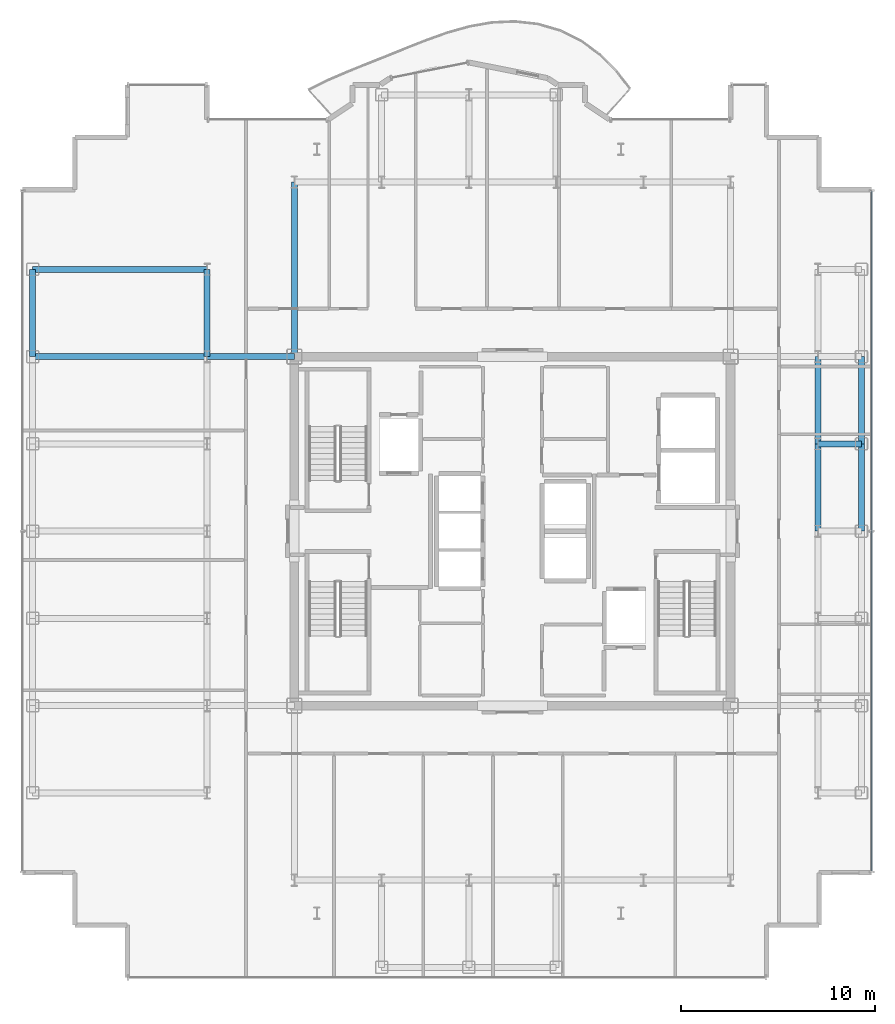
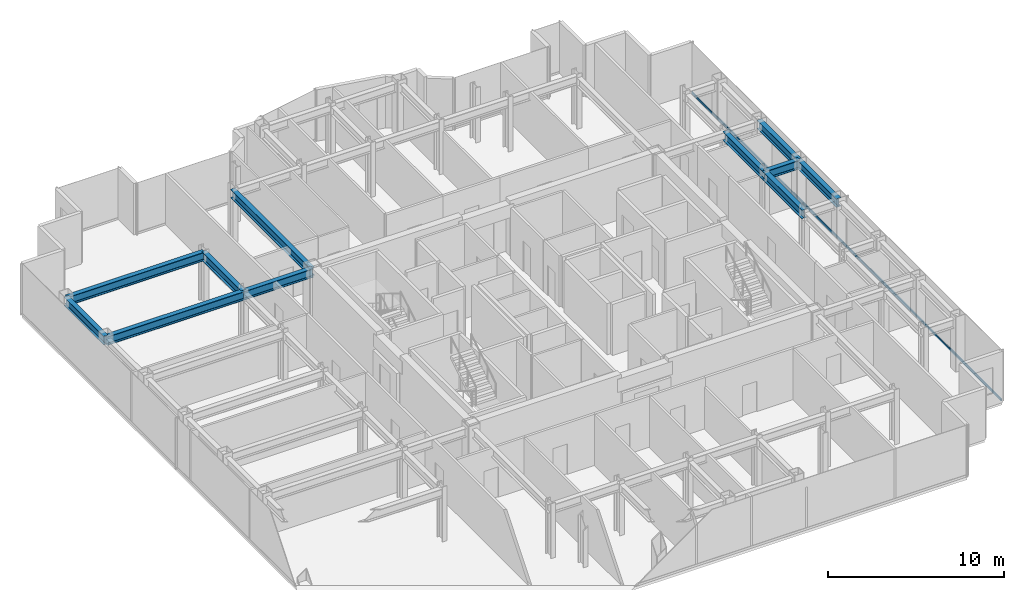
# One storey, part 8 of 18: 11 beams, 1 member, 1 element without a shape of its own.
"""IFC4 building model written with IfcOpenShell, lengths in metres."""

import ifcopenshell
import ifcopenshell.guid

model = None  # the IFC model being written
_history = None  # IfcOwnerHistory: only IFC2X3 demands one
_inside = {}  # id of a spatial element -> (the spatial element, [elements in it])
_under = {}  # id of a project, library or spatial element -> (it, [spatial elements below it])
_declared = {}  # id of a project -> (the project, [libraries it declares])
_typed = {}  # id of a type object -> (the type object, [elements of that type])
_made_of = {}  # id of a material, layer set ... -> (it, [elements and type objects made of it])


def new_model(schema):
    """Start an empty IFC model of exactly this schema.

    Asked for "IFC4X3", IfcOpenShell would pick the latest addendum, in which some entities
    have other attributes; the version numbers below select the first issue.
    IFC2X3 requires an IfcOwnerHistory on every rooted entity: one is made here for all.
    """
    global model, _history
    if schema == "IFC4X3":
        model = ifcopenshell.file(schema_version=(4, 3, 0, 0))
    else:
        model = ifcopenshell.file(schema=schema)
    _inside.clear()
    _under.clear()
    _declared.clear()
    _typed.clear()
    _made_of.clear()
    _history = None
    if model.schema == "IFC2X3":
        org = make("IfcOrganization", Name="unknown")
        user = make(
            "IfcPersonAndOrganization",
            ThePerson=make("IfcPerson", FamilyName="unknown"),
            TheOrganization=org,
        )
        app = make(
            "IfcApplication",
            ApplicationDeveloper=org,
            Version="unknown",
            ApplicationFullName="unknown",
            ApplicationIdentifier="unknown",
        )
        _history = make(
            "IfcOwnerHistory",
            OwningUser=user,
            OwningApplication=app,
            ChangeAction="ADDED",
            CreationDate=0,
        )
    return model


def make(cls, **values):
    """One entity of the class cls with the attributes given. An attribute that is None is left unset."""
    return model.create_entity(
        cls, **{name: value for name, value in values.items() if value is not None}
    )


def rooted(cls, **values):
    """An entity with a GlobalId (a new one), such as an element, a storey or a relation."""
    return make(cls, GlobalId=ifcopenshell.guid.new(), OwnerHistory=_history, **values)


def si_unit(unit_type, name, prefix=None):
    """IfcSIUnit, for example si_unit("LENGTHUNIT", "METRE", prefix="MILLI")."""
    return make("IfcSIUnit", UnitType=unit_type, Prefix=prefix, Name=name)


def assignment(units):
    """IfcUnitAssignment: the units of a project."""
    return None if units is None else make("IfcUnitAssignment", Units=units)


def point(xyz):
    """IfcCartesianPoint."""
    return None if xyz is None else make("IfcCartesianPoint", Coordinates=xyz)


def direction(xyz):
    """IfcDirection."""
    return None if xyz is None else make("IfcDirection", DirectionRatios=xyz)


def frame(location, z_axis=None, x_axis=None):
    """IfcAxis2Placement3D, a coordinate frame: its origin and axes. An axis left out is left unset."""
    return make(
        "IfcAxis2Placement3D",
        Location=point(location),
        Axis=direction(z_axis),
        RefDirection=direction(x_axis),
    )


def frame_2d(location, x_axis=None):
    """IfcAxis2Placement2D, a coordinate frame in the plane: its origin and x axis."""
    return make(
        "IfcAxis2Placement2D", Location=point(location), RefDirection=direction(x_axis)
    )


def origin():
    """The frame at (0, 0, 0) with its axes left unset."""
    return frame((0.0, 0.0, 0.0))


def origin_2d():
    """The frame at (0, 0) in the plane with its x axis left unset."""
    return frame_2d((0.0, 0.0))


def place(relative_to, where):
    """IfcLocalPlacement: puts the frame where relative to a parent placement (None: the world)."""
    return make(
        "IfcLocalPlacement", PlacementRelTo=relative_to, RelativePlacement=where
    )


def context(
    kind, dimensions, precision=None, world=None, true_north=None, identifier=None
):
    """IfcGeometricRepresentationContext, for example the 3D "Model" context."""
    return make(
        "IfcGeometricRepresentationContext",
        ContextIdentifier=identifier,
        ContextType=kind,
        CoordinateSpaceDimension=dimensions,
        Precision=precision,
        WorldCoordinateSystem=world,
        TrueNorth=true_north,
    )


def subcontext(parent, identifier, kind, view, scale=None):
    """IfcGeometricRepresentationSubContext, for example "Body" below "Model"."""
    return make(
        "IfcGeometricRepresentationSubContext",
        ContextIdentifier=identifier,
        ContextType=kind,
        ParentContext=parent,
        TargetScale=scale,
        TargetView=view,
    )


def project(units=None, contexts=None):
    """IfcProject with its units and contexts."""
    return rooted(
        "IfcProject",
        Name="project",
        RepresentationContexts=contexts,
        UnitsInContext=assignment(units),
    )


def spatial(cls, under=None, at=None, **own):
    """A site, building, storey or space (cls), placed at a placement, below another one or the project."""
    s = rooted(cls, ObjectPlacement=at, **own)
    if under is not None:
        _under.setdefault(under.id(), (under, []))[1].append(s)
    return s


def profile(cls, at=None, kind="AREA", **sizes):
    """A parametric profile (cls). Its sizes go by their IFC names, for example OverallWidth=200.0."""
    return make(cls, ProfileType=kind, Position=at, **sizes)


def hollow_rectangle(**sizes):
    """IfcRectangleHollowProfileDef."""
    return profile("IfcRectangleHollowProfileDef", **sizes)


def i_section(**sizes):
    """IfcIShapeProfileDef."""
    return profile("IfcIShapeProfileDef", **sizes)


def extrude(swept, where, along, depth):
    """IfcExtrudedAreaSolid: the profile swept, set in the frame where, extruded along a direction by depth."""
    return make(
        "IfcExtrudedAreaSolid",
        SweptArea=swept,
        Position=where,
        ExtrudedDirection=direction(along),
        Depth=depth,
    )


def shape(context_of_items, identifier, shape_type, items):
    """IfcShapeRepresentation: the items that make up one representation, for example the "Body"."""
    return make(
        "IfcShapeRepresentation",
        ContextOfItems=context_of_items,
        RepresentationIdentifier=identifier,
        RepresentationType=shape_type,
        Items=items,
    )


def source(mapping_origin, context_of_items, identifier, shape_type, items):
    """IfcRepresentationMap: a shape defined once, which mapped items show again and again."""
    return make(
        "IfcRepresentationMap",
        MappingOrigin=mapping_origin,
        MappedRepresentation=shape(context_of_items, identifier, shape_type, items),
    )


def transform(
    local_origin,
    x_axis=None,
    y_axis=None,
    z_axis=None,
    scale=None,
    scale2=None,
    scale3=None,
    uniform=True,
):
    """IfcCartesianTransformationOperator3D, or its non-uniform kind. x_axis, y_axis, z_axis: its Axis1, 2, 3."""
    if uniform:
        return make(
            "IfcCartesianTransformationOperator3D",
            Axis1=direction(x_axis),
            Axis2=direction(y_axis),
            LocalOrigin=point(local_origin),
            Scale=scale,
            Axis3=direction(z_axis),
        )
    return make(
        "IfcCartesianTransformationOperator3DnonUniform",
        Axis1=direction(x_axis),
        Axis2=direction(y_axis),
        LocalOrigin=point(local_origin),
        Scale=scale,
        Axis3=direction(z_axis),
        Scale2=scale2,
        Scale3=scale3,
    )


def mapped(mapping_source, mapping_target):
    """IfcMappedItem: shows the shape of a source again, moved by a transform."""
    return make(
        "IfcMappedItem", MappingSource=mapping_source, MappingTarget=mapping_target
    )


def material(Name=None, Category=None):
    """IfcMaterial."""
    return make("IfcMaterial", Name=Name, Category=Category)


def layer(
    of_material, thickness, ventilated=None, Name=None, Category=None, Priority=None
):
    """IfcMaterialLayer: one layer of a wall or slab, of a material (None: an air gap)."""
    return make(
        "IfcMaterialLayer",
        Material=of_material,
        LayerThickness=thickness,
        IsVentilated=ventilated,
        Name=Name,
        Category=Category,
        Priority=Priority,
    )


def layer_set(layers, Name=None):
    """IfcMaterialLayerSet."""
    return make("IfcMaterialLayerSet", MaterialLayers=layers, LayerSetName=Name)


def material_profile(
    of_material, cross_section, Name=None, Category=None, Priority=None
):
    """IfcMaterialProfile: a cross section and its material."""
    return make(
        "IfcMaterialProfile",
        Name=Name,
        Material=of_material,
        Profile=cross_section,
        Priority=Priority,
        Category=Category,
    )


def profile_set(profiles, Name=None, composite=None):
    """IfcMaterialProfileSet."""
    return make(
        "IfcMaterialProfileSet",
        Name=Name,
        MaterialProfiles=profiles,
        CompositeProfile=composite,
    )


def made_of(thing, what):
    """Note that an element or type object is made of a material, layer set ...; save() writes the relation."""
    if what is not None:
        _made_of.setdefault(what.id(), (what, []))[1].append(thing)
    return thing


def type_object(cls, material=None, **own):
    """A type object (cls), such as IfcWallType, which elements share."""
    return made_of(rooted(cls, **own), material)


def element(
    cls,
    number,
    at=None,
    inside=None,
    cuts=None,
    type_object=None,
    material=None,
    context=None,
    identifier="Body",
    shape_type=None,
    held_by="IfcProductDefinitionShape",
    body=None,
    shapes=None,
    **own,
):
    """One element of the class cls, such as IfcWall. Its Tag is "e" and its number.

    at: its placement. inside: the storey or other place that contains it. cuts: it is an
    opening in that element (IfcRelVoidsElement). A single representation is given by context,
    identifier, shape_type and body (its items); several are given by shapes. held_by: the class
    of the entity that holds the representations. save() writes the other relations.
    """
    e = rooted(cls, Tag="e%d" % number, ObjectPlacement=at, **own)
    if body is not None:
        shapes = [shape(context, identifier, shape_type, body)]
    if shapes is not None:
        e.Representation = make(held_by, Representations=shapes)
    if inside is not None:
        _inside.setdefault(inside.id(), (inside, []))[1].append(e)
    if cuts is not None:
        rooted(
            "IfcRelVoidsElement", RelatingBuildingElement=cuts, RelatedOpeningElement=e
        )
    if type_object is not None:
        _typed.setdefault(type_object.id(), (type_object, []))[1].append(e)
    return made_of(e, material)


def aggregate(whole, parts):
    """IfcRelAggregates: a whole, such as a stair, and the parts it consists of."""
    return rooted("IfcRelAggregates", RelatingObject=whole, RelatedObjects=parts)


def save(model, path):
    """Write the relations noted so far, then the file.

    IfcRelAggregates (storeys below a building ...), IfcRelContainedInSpatialStructure (elements
    in a storey), IfcRelDefinesByType, IfcRelAssociatesMaterial and IfcRelDeclares: one each for
    every whole, place, type object, material and project.
    """
    for whole, parts in _under.values():
        aggregate(whole, parts)
    for where, things in _inside.values():
        rooted(
            "IfcRelContainedInSpatialStructure",
            RelatedElements=things,
            RelatingStructure=where,
        )
    for kind, things in _typed.values():
        rooted("IfcRelDefinesByType", RelatedObjects=things, RelatingType=kind)
    for what, things in _made_of.values():
        rooted("IfcRelAssociatesMaterial", RelatedObjects=things, RelatingMaterial=what)
    for by, libraries in _declared.values():
        rooted("IfcRelDeclares", RelatingContext=by, RelatedDefinitions=libraries)
    model.write(path)


model = new_model("IFC4")

# Units and contexts
model_context = context("Model", 3, precision=1e-05, world=origin(), true_north=direction((0.0, 1.0)))
body_context = subcontext(model_context, "Body", "Model", "MODEL_VIEW")
ifc_project = project(units=[si_unit("LENGTHUNIT", "METRE"), si_unit("AREAUNIT", "SQUARE_METRE"), si_unit("VOLUMEUNIT", "CUBIC_METRE"), si_unit("PLANEANGLEUNIT", "RADIAN"), si_unit("MASSUNIT", "GRAM", prefix="KILO")], contexts=[model_context])

# Site, building, storey
site_placement = place(None, origin())
site = spatial("IfcSite", under=ifc_project, at=site_placement, CompositionType="ELEMENT")
building_placement = place(site_placement, origin())
building = spatial("IfcBuilding", under=site, at=building_placement, Name="Nefas-Gora Pilgrimage Tower", CompositionType="ELEMENT")
storey_placement = place(building_placement, frame((0.0, 0.0, 268.39990234375)))
storey = spatial("IfcBuildingStorey", under=building, at=storey_placement, Name="L67", CompositionType="ELEMENT", Elevation=268.39990234375)

# Beams
ifc_material_1 = material(Name="Steel S355", Category="steel")
ifc_material_profile_1 = material_profile(ifc_material_1, i_section(OverallWidth=0.300048828125, OverallDepth=0.60009765625, WebThickness=0.015380859375, FlangeThickness=0.030029296875, FilletRadius=0.027099609375, at=origin_2d()), Name="HEB 600")
ifc_profile_set_1 = profile_set([ifc_material_profile_1], Name="Steel S355")
beam_type_1 = type_object("IfcBeamType", Name="BM-SPN-HEB450", PredefinedType="SPANDREL", material=ifc_profile_set_1)
shared_shape_1 = source(origin(), body_context, "Body", "SweptSolid", [
    extrude(i_section(OverallWidth=0.300048828125, OverallDepth=0.60009765625, WebThickness=0.015380859375, FlangeThickness=0.030029296875, FilletRadius=0.027099609375, at=origin_2d()), origin(), (0.0, 0.0, 1.0), 4.5),
])
for number, where, z_axis, x_axis, name in (
    (1, (-24.75, 9.0, 3.25), (0.0, 1.0, 0.0), (-1.0, 0.0, 0.0), "L67 SP-03 beam"),
    (2, (18.0, 0.0, 3.25), (0.0, 1.0, 0.0), (-1.0, 0.0, 0.0), "L67 SP-03 beam"),
    (3, (18.0, 4.5, 3.25), (0.0, 1.0, 0.0), (-1.0, 0.0, 0.0), "L67 SP-03 beam"),
):
    element("IfcBeam", number, at=place(storey_placement, frame(where, z_axis=z_axis, x_axis=x_axis)), inside=storey, type_object=beam_type_1, Name=name, PredefinedType="SPANDREL", context=body_context, shape_type="MappedRepresentation", body=[
        mapped(shared_shape_1, transform((0.0, 0.0, 0.0), x_axis=(1.0, 0.0, 0.0), y_axis=(0.0, 1.0, 0.0), z_axis=(0.0, 0.0, 1.0), scale=1.0)),
    ])
ifc_material_profile_2 = material_profile(ifc_material_1, i_section(OverallWidth=0.300048828125, OverallDepth=0.60009765625, WebThickness=0.015380859375, FlangeThickness=0.030029296875, FilletRadius=0.027099609375, at=origin_2d()), Name="HEB 600")
ifc_profile_set_2 = profile_set([ifc_material_profile_2], Name="Steel S355")
beam_type_2 = type_object("IfcBeamType", Name="BM-GIR-HEB600", PredefinedType="BEAM", material=ifc_profile_set_2)
shared_shape_2 = source(origin(), body_context, "Body", "SweptSolid", [
    extrude(i_section(OverallWidth=0.300048828125, OverallDepth=0.60009765625, WebThickness=0.015380859375, FlangeThickness=0.030029296875, FilletRadius=0.027099609375, at=origin_2d()), origin(), (0.0, 0.0, 1.0), 9.0),
])
for number, where, z_axis, x_axis, name in (
    (4, (-24.75, 9.0, 3.25), (1.0, 0.0, 0.0), (0.0, 1.0, 0.0), "L67 G-04 beam"),
    (5, (-24.75, 13.5, 3.25), (1.0, 0.0, 0.0), (0.0, 1.0, 0.0), "L67 G-04 beam"),
    (6, (-11.25, 9.0, 3.25), (0.0, 1.0, 0.0), (-1.0, 0.0, 0.0), "L67 G-04 beam"),
):
    element("IfcBeam", number, at=place(storey_placement, frame(where, z_axis=z_axis, x_axis=x_axis)), inside=storey, type_object=beam_type_2, Name=name, PredefinedType="BEAM", context=body_context, shape_type="MappedRepresentation", body=[
        mapped(shared_shape_2, transform((0.0, 0.0, 0.0), x_axis=(1.0, 0.0, 0.0), y_axis=(0.0, 1.0, 0.0), z_axis=(0.0, 0.0, 1.0), scale=1.0)),
    ])
shared_shape_3 = source(origin(), body_context, "Body", "SweptSolid", [
    extrude(i_section(OverallWidth=0.300048828125, OverallDepth=0.60009765625, WebThickness=0.015380859375, FlangeThickness=0.030029296875, FilletRadius=0.027099609375, at=origin_2d()), origin(), (0.0, 0.0, 1.0), 4.5),
])
for number, where, z_axis, x_axis, name in (
    (7, (-15.75, 9.0, 3.25), (0.0, 1.0, 0.0), (-1.0, 0.0, 0.0), "L67 G-04 beam"),
    (8, (-15.75, 9.0, 3.25), (1.0, 0.0, 0.0), (0.0, 1.0, 0.0), "L67 G-04 beam"),
    (9, (15.75, 0.0, 3.25), (0.0, 1.0, 0.0), (-1.0, 0.0, 0.0), "L67 G-04 beam"),
    (10, (15.75, 4.5, 3.25), (0.0, 1.0, 0.0), (-1.0, 0.0, 0.0), "L67 G-04 beam"),
):
    element("IfcBeam", number, at=place(storey_placement, frame(where, z_axis=z_axis, x_axis=x_axis)), inside=storey, type_object=beam_type_2, Name=name, PredefinedType="BEAM", context=body_context, shape_type="MappedRepresentation", body=[
        mapped(shared_shape_3, transform((0.0, 0.0, 0.0), x_axis=(1.0, 0.0, 0.0), y_axis=(0.0, 1.0, 0.0), z_axis=(0.0, 0.0, 1.0), scale=1.0)),
    ])
shared_shape_4 = source(origin(), body_context, "Body", "SweptSolid", [
    extrude(i_section(OverallWidth=0.300048828125, OverallDepth=0.60009765625, WebThickness=0.015380859375, FlangeThickness=0.030029296875, FilletRadius=0.027099609375, at=origin_2d()), origin(), (0.0, 0.0, 1.0), 2.25),
])
beam_placement = place(storey_placement, frame((15.75, 4.5, 3.25), z_axis=(1.0, 0.0, 0.0), x_axis=(0.0, 1.0, 0.0)))
element("IfcBeam", 11, at=beam_placement, inside=storey, type_object=beam_type_2, Name="L67 G-04 beam", PredefinedType="BEAM", context=body_context, shape_type="MappedRepresentation", body=[
    mapped(shared_shape_4, transform((0.0, 0.0, 0.0), x_axis=(1.0, 0.0, 0.0), y_axis=(0.0, 1.0, 0.0), z_axis=(0.0, 0.0, 1.0), scale=1.0)),
])

# Curtain wall, member
ifc_material_2 = material(Name="Dark ceramic-fritted solar-control aluminium-glass curtain wall", Category="aluminium")
ifc_layer = layer(ifc_material_2, 0.219970703125)
ifc_layer_set = layer_set([ifc_layer], Name="Dark ceramic-fritted solar-control aluminium-glass curtain wall")
curtain_wall_type = type_object("IfcCurtainWallType", Name="CW-SYS-4", PredefinedType="NOTDEFINED", material=ifc_layer_set)
curtain_wall_placement = place(storey_placement, origin())
curtain_wall = element("IfcCurtainWall", 12, at=curtain_wall_placement, inside=storey, type_object=curtain_wall_type, Name="L67 Unitised Curtain Wall CW4", PredefinedType="NOTDEFINED")
ifc_material_3 = material(Name="Anodised architectural aluminium", Category="aluminium")
ifc_material_profile_3 = material_profile(ifc_material_3, hollow_rectangle(XDim=0.080078125, YDim=0.159912109375, WallThickness=0.00439453125, InnerFilletRadius=0.00439453125, OuterFilletRadius=0.009033203125, at=origin_2d()), Name="ALU TRANSOM 80x160")
ifc_profile_set_3 = profile_set([ifc_material_profile_3], Name="Anodised architectural aluminium")
member_type = type_object("IfcMemberType", Name="CWM-TRN-4", PredefinedType="USERDEFINED", material=ifc_profile_set_3)
shared_shape_5 = source(origin(), body_context, "Body", "SweptSolid", [
    extrude(hollow_rectangle(XDim=0.080078125, YDim=0.159912109375, WallThickness=0.00439453125, InnerFilletRadius=0.00439453125, OuterFilletRadius=0.009033203125, at=origin_2d()), origin(), (0.0, 0.0, 1.0), 35.06005859375),
])
member_placement = place(storey_placement, frame((18.52001953125, -17.530029296875, 0.050048828125), z_axis=(0.0, 1.0, 0.0), x_axis=(-1.0, 0.0, 0.0)))
member = element("IfcMember", 13, at=member_placement, type_object=member_type, Name="CW4 Spandrel Transom", ObjectType="TRANSOM", PredefinedType="USERDEFINED", context=body_context, shape_type="MappedRepresentation", body=[
    mapped(shared_shape_5, transform((0.0, 0.0, 0.0), x_axis=(1.0, 0.0, 0.0), y_axis=(0.0, 1.0, 0.0), z_axis=(0.0, 0.0, 1.0), scale=1.0)),
])
aggregate(curtain_wall, [member])

save(model, "model.ifc")
